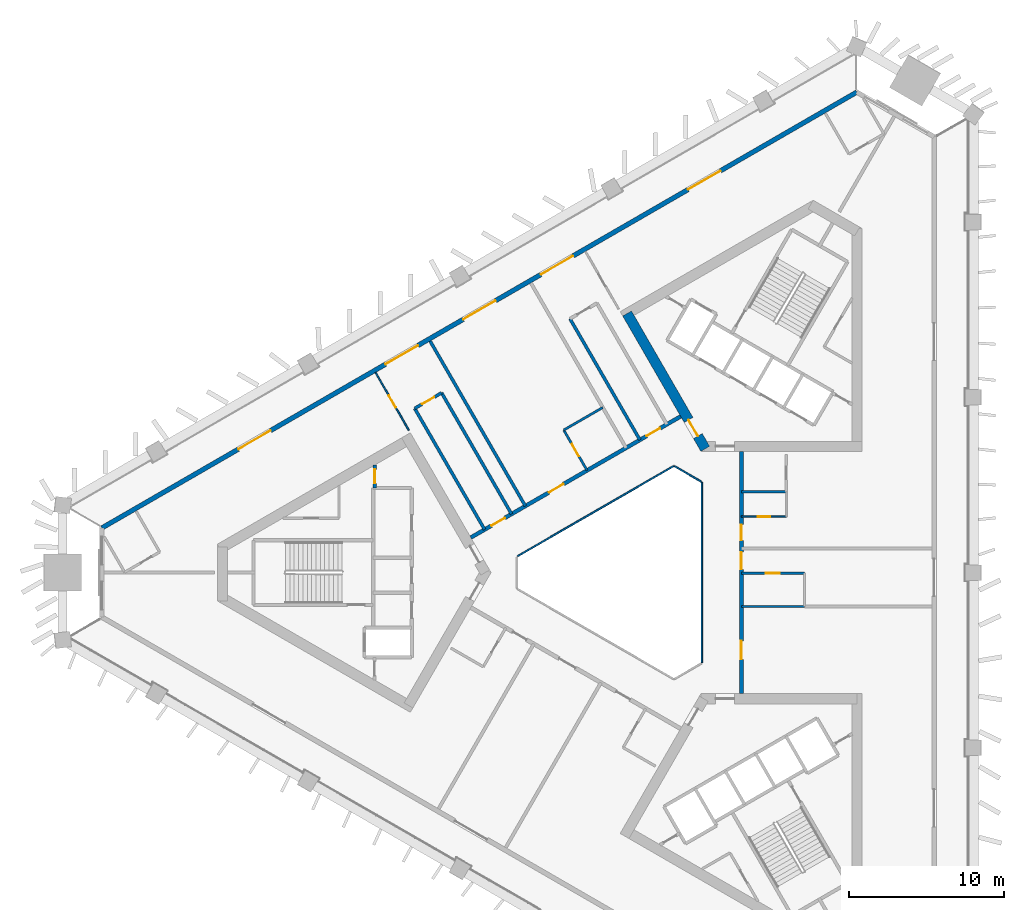
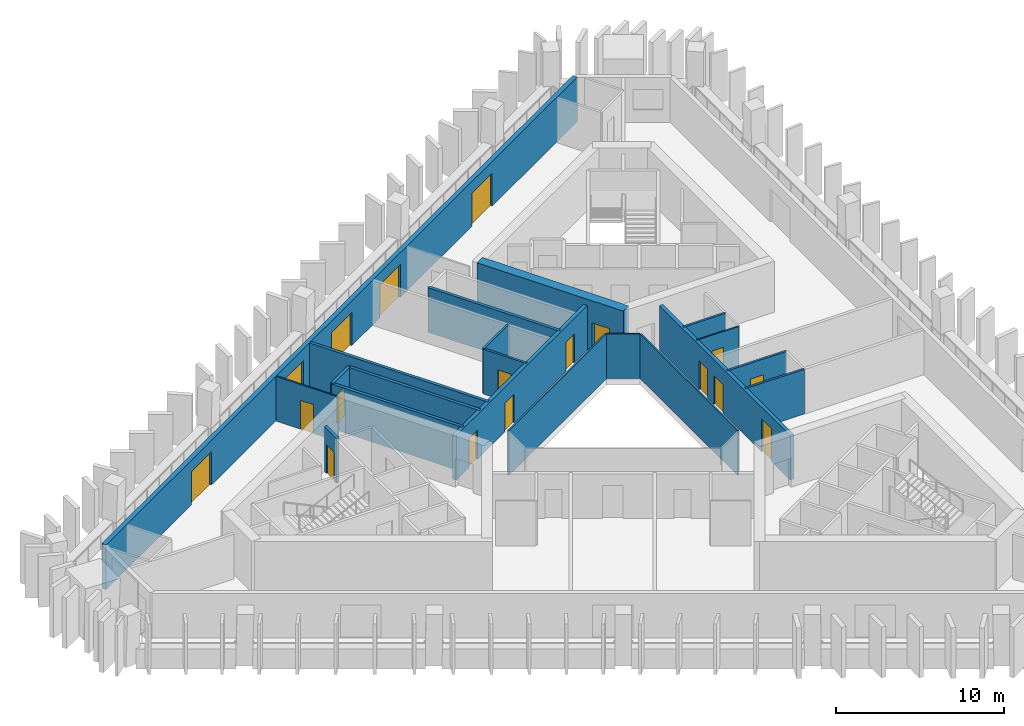
# One storey, part 4 of 9: 20 walls, 18 doors, 18 openings.
"""IFC4 building model written with IfcOpenShell, lengths in metres."""

from ifc_helpers import new_model, si_unit, direction, frame, frame_2d, origin, place, context, subcontext, project, spatial, rectangle, extrude, material, layer, layer_set, type_object, element, fill, save


model = new_model("IFC4")

# Units and contexts
model_context = context("Model", 3, precision=1e-05, world=origin(), true_north=direction((0.0, 1.0)))
body_context = subcontext(model_context, "Body", "Model", "MODEL_VIEW")
ifc_project = project(units=[si_unit("LENGTHUNIT", "METRE"), si_unit("AREAUNIT", "SQUARE_METRE"), si_unit("VOLUMEUNIT", "CUBIC_METRE"), si_unit("PLANEANGLEUNIT", "RADIAN"), si_unit("MASSUNIT", "GRAM", prefix="KILO")], contexts=[model_context])

# Site, building, storey
site_placement = place(None, origin())
site = spatial("IfcSite", under=ifc_project, at=site_placement, CompositionType="ELEMENT")
building_placement = place(site_placement, origin())
building = spatial("IfcBuilding", under=site, at=building_placement, Name="Jabali Bay Hotel Tower and Convention Centre", CompositionType="ELEMENT")
storey_placement = place(building_placement, frame((0.0, 0.0, 129.0)))
storey = spatial("IfcBuildingStorey", under=building, at=storey_placement, Name="L31", CompositionType="ELEMENT", Elevation=129.0)

# Walls
ifc_material_1 = material(Name="Fire-resistant glazing", Category="glass")
ifc_layer_1 = layer(ifc_material_1, 0.10009765625)
ifc_layer_set_1 = layer_set([ifc_layer_1], Name="Fire-resistant glazing")
wall_type_1 = type_object("IfcWallType", Name="Atrium glazed screen 100", PredefinedType="PARTITIONING", material=ifc_layer_set_1)
wall_1_placement = place(storey_placement, frame((79.56005859375, 74.205810546875, 0.0), z_axis=(0.0, 0.0, 1.0), x_axis=(0.0, 1.0, 0.0)))
element("IfcWall", 1, at=wall_1_placement, inside=storey, type_object=wall_type_1, Name="Atrium screen 1 L31", PredefinedType="PARTITIONING", context=body_context, shape_type="SweptSolid", body=[
    extrude(rectangle(XDim=11.58837890625, YDim=0.10009765625, at=frame_2d((5.794189453125, 0.0))), origin(), (0.0, 0.0, 1.0), 3.25),
])
wall_2_placement = place(storey_placement, frame((79.530029296875, 85.84619140625, 0.0), z_axis=(0.0, 0.0, 1.0), x_axis=(-0.866041268327, 0.499972520799, 0.0)))
element("IfcWall", 2, at=wall_2_placement, inside=storey, type_object=wall_type_1, Name="Atrium screen 2 L31", PredefinedType="PARTITIONING", context=body_context, shape_type="SweptSolid", body=[
    extrude(rectangle(XDim=2.0, YDim=0.10009765625, at=frame_2d((1.0, 0.0))), origin(), (0.0, 0.0, 1.0), 3.25),
])
wall_3_placement = place(storey_placement, frame((77.738037109375, 86.84619140625, 0.0), z_axis=(0.0, 0.0, 1.0), x_axis=(-0.866026658274, -0.499997827154, 0.0)))
element("IfcWall", 3, at=wall_3_placement, inside=storey, type_object=wall_type_1, Name="Atrium screen 3 L31", PredefinedType="PARTITIONING", context=body_context, shape_type="SweptSolid", body=[
    extrude(rectangle(XDim=11.58837890625, YDim=0.10009765625, at=frame_2d((5.794189453125, 0.0))), origin(), (0.0, 0.0, 1.0), 3.25),
])

# Wall, opening, door
ifc_material_2 = material(Name="Concrete C40", Category="concrete")
ifc_layer_2 = layer(ifc_material_2, 0.199951171875)
ifc_layer_set_2 = layer_set([ifc_layer_2], Name="Concrete C40")
wall_type_2 = type_object("IfcWallType", Name="Core partition wall 200", PredefinedType="PARTITIONING", material=ifc_layer_set_2)
wall_4_placement = place(storey_placement, frame((58.52001953125, 86.916748046875, 0.0), z_axis=(0.0, 0.0, 1.0), x_axis=(0.0, -1.0, 0.0)))
wall_4 = element("IfcWall", 4, at=wall_4_placement, inside=storey, type_object=wall_type_2, Name="Core wall 0.10 L31", PredefinedType="PARTITIONING", context=body_context, shape_type="SweptSolid", body=[
    extrude(rectangle(XDim=1.466796875, YDim=0.199951171875, at=frame_2d((0.7333984375, 0.0))), origin(), (0.0, 0.0, 1.0), 3.25),
])
opening_1_placement = place(wall_4_placement, frame((0.283447265625, 0.0, 0.0)))
opening_1 = element("IfcOpeningElement", 5, at=opening_1_placement, cuts=wall_4, Name="Opening D686", PredefinedType="OPENING", context=body_context, shape_type="SweptSolid", body=[
    extrude(rectangle(XDim=0.89990234375, YDim=2.10009765625, at=frame_2d((0.449951171875, 1.050048828125))), frame((0.0, 0.1103515625, 0.0), z_axis=(0.0, -1.0, 0.0), x_axis=(1.0, 0.0, 0.0)), (0.0, 0.0, 1.0), 0.220947265625),
])
ifc_material_3 = material(Name="Fire-rated steel door", Category="steel")
door_type_1 = type_object("IfcDoorType", Name="Vestibule fire door 900 x 2100", OperationType="NOTDEFINED", PredefinedType="NOTDEFINED", material=ifc_material_3)
door_1_placement = place(opening_1_placement, origin())
door_1 = element("IfcDoor", 6, at=door_1_placement, inside=storey, type_object=door_type_1, Name="Vestibule fire door D686", OperationType="SINGLE_SWING_LEFT", OverallHeight=2.10009765625, OverallWidth=0.89990234375, PredefinedType="NOTDEFINED", context=body_context, shape_type="SweptSolid", body=[
    extrude(rectangle(XDim=0.89990234375, YDim=2.10009765625, at=frame_2d((0.449951171875, 1.050048828125))), frame((0.0, 0.02490234375, 0.0), z_axis=(0.0, -1.0, 0.0), x_axis=(1.0, 0.0, 0.0)), (0.0, 0.0, 1.0), 0.050048828125),
])
fill(opening_1, door_1)

ifc_material_4 = material(Name="Concrete C60", Category="concrete")
ifc_layer_3 = layer(ifc_material_4, 0.64990234375)
ifc_layer_set_3 = layer_set([ifc_layer_3], Name="Concrete C60")
wall_type_3 = type_object("IfcWallType", Name="Core wall 650", PredefinedType="SHEAR", material=ifc_layer_set_3)
wall_5_placement = place(storey_placement, frame((74.75390625, 96.66455078125, 0.0), z_axis=(0.0, 0.0, 1.0), x_axis=(0.500011799426, -0.866018591275, 0.0)))
wall_5 = element("IfcWall", 7, at=wall_5_placement, inside=storey, type_object=wall_type_3, Name="Core wall 2.5 L31", PredefinedType="SHEAR", context=body_context, shape_type="SweptSolid", body=[
    extrude(rectangle(XDim=10.054931640625, YDim=0.64990234375, at=frame_2d((5.02734375, 0.0))), origin(), (0.0, 0.0, 1.0), 3.699951171875),
])
opening_2_placement = place(wall_5_placement, frame((7.905029296875, 0.0, 0.0)))
opening_2 = element("IfcOpeningElement", 8, at=opening_2_placement, cuts=wall_5, Name="Opening D690", PredefinedType="OPENING", context=body_context, shape_type="SweptSolid", body=[
    extrude(rectangle(XDim=1.199951171875, YDim=2.10009765625, at=frame_2d((0.60009765625, 1.050048828125))), frame((0.0, 0.33544921875, 0.0), z_axis=(0.0, -1.0, 0.0), x_axis=(1.0, 0.0, 0.0)), (0.0, 0.0, 1.0), 0.6708984375),
])
door_type_2 = type_object("IfcDoorType", Name="Corridor end fire door 1200 x 2100", OperationType="NOTDEFINED", PredefinedType="NOTDEFINED", material=ifc_material_3)
door_2_placement = place(opening_2_placement, origin())
door_2 = element("IfcDoor", 9, at=door_2_placement, inside=storey, type_object=door_type_2, Name="Corridor end fire door D690", OperationType="SINGLE_SWING_LEFT", OverallHeight=2.10009765625, OverallWidth=1.199951171875, PredefinedType="NOTDEFINED", context=body_context, shape_type="SweptSolid", body=[
    extrude(rectangle(XDim=1.199951171875, YDim=2.10009765625, at=frame_2d((0.60009765625, 1.050048828125))), frame((0.0, 0.02490234375, 0.0), z_axis=(0.0, -1.0, 0.0), x_axis=(1.0, 0.0, 0.0)), (0.0, 0.0, 1.0), 0.050048828125),
])
fill(opening_2, door_2)

# Wall, openings, doors
ifc_layer_4 = layer(ifc_material_4, 0.25)
ifc_layer_set_4 = layer_set([ifc_layer_4], Name="Concrete C60")
wall_type_4 = type_object("IfcWallType", Name="Corridor wall 250", PredefinedType="SHEAR", material=ifc_layer_set_4)
wall_6_placement = place(storey_placement, frame((82.10009765625, 72.205810546875, 0.0), z_axis=(0.0, 0.0, 1.0), x_axis=(0.0, 1.0, 0.0)))
wall_6 = element("IfcWall", 10, at=wall_6_placement, inside=storey, type_object=wall_type_4, Name="Corridor wall 1 L31", PredefinedType="SHEAR", context=body_context, shape_type="SweptSolid", body=[
    extrude(rectangle(XDim=15.58837890625, YDim=0.25, at=frame_2d((7.794189453125, 0.0))), origin(), (0.0, 0.0, 1.0), 3.25),
])
opening_3_placement = place(wall_6_placement, frame((2.205810546875, 0.0, 0.0)))
opening_3 = element("IfcOpeningElement", 11, at=opening_3_placement, cuts=wall_6, Name="Opening 3101", PredefinedType="OPENING", context=body_context, shape_type="SweptSolid", body=[
    extrude(rectangle(XDim=1.199951171875, YDim=2.39990234375, at=frame_2d((0.60009765625, 1.199951171875))), frame((0.0, 0.135498046875, 0.0), z_axis=(0.0, -1.0, 0.0), x_axis=(1.0, 0.0, 0.0)), (0.0, 0.0, 1.0), 0.27099609375),
])
opening_4_placement = place(wall_6_placement, frame((8.003173828125, 0.0, 0.0)))
opening_4 = element("IfcOpeningElement", 12, at=opening_4_placement, cuts=wall_6, Name="Opening 3103", PredefinedType="OPENING", context=body_context, shape_type="SweptSolid", body=[
    extrude(rectangle(XDim=1.10009765625, YDim=2.10009765625, at=frame_2d((0.550048828125, 1.050048828125))), frame((0.0, 0.135498046875, 0.0), z_axis=(0.0, -1.0, 0.0), x_axis=(1.0, 0.0, 0.0)), (0.0, 0.0, 1.0), 0.27099609375),
])
opening_5_placement = place(wall_6_placement, frame((9.870849609375, 0.0, 0.0)))
opening_5 = element("IfcOpeningElement", 13, at=opening_5_placement, cuts=wall_6, Name="Opening 3106", PredefinedType="OPENING", context=body_context, shape_type="SweptSolid", body=[
    extrude(rectangle(XDim=1.0, YDim=2.10009765625, at=frame_2d((0.5, 1.050048828125))), frame((0.0, 0.135498046875, 0.0), z_axis=(0.0, -1.0, 0.0), x_axis=(1.0, 0.0, 0.0)), (0.0, 0.0, 1.0), 0.27099609375),
])
ifc_material_5 = material(Name="Timber", Category="wood")
door_type_3 = type_object("IfcDoorType", Name="Accessible guest room door 1100 x 2100", OperationType="NOTDEFINED", PredefinedType="NOTDEFINED", material=ifc_material_5)
door_3_placement = place(opening_4_placement, origin())
door_3 = element("IfcDoor", 14, at=door_3_placement, inside=storey, type_object=door_type_3, Name="Door 3103", OperationType="SINGLE_SWING_RIGHT", OverallHeight=2.10009765625, OverallWidth=1.10009765625, PredefinedType="NOTDEFINED", context=body_context, shape_type="SweptSolid", body=[
    extrude(rectangle(XDim=1.10009765625, YDim=2.10009765625, at=frame_2d((0.550048828125, 1.050048828125))), frame((0.0, 0.02490234375, 0.0), z_axis=(0.0, -1.0, 0.0), x_axis=(1.0, 0.0, 0.0)), (0.0, 0.0, 1.0), 0.050048828125),
])
fill(opening_4, door_3)
door_type_4 = type_object("IfcDoorType", Name="Guest room door 1000 x 2100", OperationType="NOTDEFINED", PredefinedType="NOTDEFINED", material=ifc_material_5)
door_4_placement = place(opening_5_placement, origin())
door_4 = element("IfcDoor", 15, at=door_4_placement, inside=storey, type_object=door_type_4, Name="Door 3106", OperationType="SINGLE_SWING_RIGHT", OverallHeight=2.10009765625, OverallWidth=1.0, PredefinedType="NOTDEFINED", context=body_context, shape_type="SweptSolid", body=[
    extrude(rectangle(XDim=1.0, YDim=2.10009765625, at=frame_2d((0.5, 1.050048828125))), frame((0.0, 0.02490234375, 0.0), z_axis=(0.0, -1.0, 0.0), x_axis=(1.0, 0.0, 0.0)), (0.0, 0.0, 1.0), 0.050048828125),
])
fill(opening_5, door_4)
door_type_5 = type_object("IfcDoorType", Name="Public room door 1200 x 2400", OperationType="NOTDEFINED", PredefinedType="NOTDEFINED", material=ifc_material_5)
door_5_placement = place(opening_3_placement, origin())
door_5 = element("IfcDoor", 16, at=door_5_placement, inside=storey, type_object=door_type_5, Name="Door 3101", OperationType="SINGLE_SWING_LEFT", OverallHeight=2.39990234375, OverallWidth=1.199951171875, PredefinedType="NOTDEFINED", context=body_context, shape_type="SweptSolid", body=[
    extrude(rectangle(XDim=1.199951171875, YDim=2.39990234375, at=frame_2d((0.60009765625, 1.199951171875))), frame((0.0, 0.02490234375, 0.0), z_axis=(0.0, -1.0, 0.0), x_axis=(1.0, 0.0, 0.0)), (0.0, 0.0, 1.0), 0.050048828125),
])
fill(opening_3, door_5)

wall_7_placement = place(storey_placement, frame((78.199951171875, 90.0458984375, 0.0), z_axis=(0.0, 0.0, 1.0), x_axis=(-0.866026492143, -0.499998114903, 0.0)))
wall_7 = element("IfcWall", 17, at=wall_7_placement, inside=storey, type_object=wall_type_4, Name="Corridor wall 2 L31", PredefinedType="SHEAR", context=body_context, shape_type="SweptSolid", body=[
    extrude(rectangle(XDim=15.58837890625, YDim=0.25, at=frame_2d((7.794189453125, 0.0))), origin(), (0.0, 0.0, 1.0), 3.25),
])
opening_6_placement = place(wall_7_placement, frame((1.526611328125, 0.0, 0.0)))
opening_6 = element("IfcOpeningElement", 18, at=opening_6_placement, cuts=wall_7, Name="Opening 3107", PredefinedType="OPENING", context=body_context, shape_type="SweptSolid", body=[
    extrude(rectangle(XDim=1.0, YDim=2.10009765625, at=frame_2d((0.5, 1.050048828125))), frame((0.0, 0.135498046875, 0.0), z_axis=(0.0, -1.0, 0.0), x_axis=(1.0, 0.0, 0.0)), (0.0, 0.0, 1.0), 0.27099609375),
])
opening_7_placement = place(wall_7_placement, frame((8.694091796875, 0.0, 0.0)))
opening_7 = element("IfcOpeningElement", 19, at=opening_7_placement, cuts=wall_7, Name="Opening 3112", PredefinedType="OPENING", context=body_context, shape_type="SweptSolid", body=[
    extrude(rectangle(XDim=1.10009765625, YDim=2.10009765625, at=frame_2d((0.550048828125, 1.050048828125))), frame((0.0, 0.135498046875, 0.0), z_axis=(0.0, -1.0, 0.0), x_axis=(1.0, 0.0, 0.0)), (0.0, 0.0, 1.0), 0.27099609375),
])
opening_8_placement = place(wall_7_placement, frame((13.06201171875, 0.0, 0.0)))
opening_8 = element("IfcOpeningElement", 20, at=opening_8_placement, cuts=wall_7, Name="Opening 3113", PredefinedType="OPENING", context=body_context, shape_type="SweptSolid", body=[
    extrude(rectangle(XDim=1.0, YDim=2.10009765625, at=frame_2d((0.5, 1.050048828125))), frame((0.0, 0.135498046875, 0.0), z_axis=(0.0, -1.0, 0.0), x_axis=(1.0, 0.0, 0.0)), (0.0, 0.0, 1.0), 0.27099609375),
])
door_6_placement = place(opening_7_placement, origin())
door_6 = element("IfcDoor", 21, at=door_6_placement, inside=storey, type_object=door_type_3, Name="Door 3112", OperationType="SINGLE_SWING_RIGHT", OverallHeight=2.10009765625, OverallWidth=1.10009765625, PredefinedType="NOTDEFINED", context=body_context, shape_type="SweptSolid", body=[
    extrude(rectangle(XDim=1.10009765625, YDim=2.10009765625, at=frame_2d((0.550048828125, 1.050048828125))), frame((0.0, 0.02490234375, 0.0), z_axis=(0.0, -1.0, 0.0), x_axis=(1.0, 0.0, 0.0)), (0.0, 0.0, 1.0), 0.050048828125),
])
fill(opening_7, door_6)
door_7_placement = place(opening_6_placement, origin())
door_7 = element("IfcDoor", 22, at=door_7_placement, inside=storey, type_object=door_type_4, Name="Door 3107", OperationType="SINGLE_SWING_LEFT", OverallHeight=2.10009765625, OverallWidth=1.0, PredefinedType="NOTDEFINED", context=body_context, shape_type="SweptSolid", body=[
    extrude(rectangle(XDim=1.0, YDim=2.10009765625, at=frame_2d((0.5, 1.050048828125))), frame((0.0, 0.02490234375, 0.0), z_axis=(0.0, -1.0, 0.0), x_axis=(1.0, 0.0, 0.0)), (0.0, 0.0, 1.0), 0.050048828125),
])
fill(opening_6, door_7)
door_8_placement = place(opening_8_placement, origin())
door_8 = element("IfcDoor", 23, at=door_8_placement, inside=storey, type_object=door_type_4, Name="Door 3113", OperationType="SINGLE_SWING_RIGHT", OverallHeight=2.10009765625, OverallWidth=1.0, PredefinedType="NOTDEFINED", context=body_context, shape_type="SweptSolid", body=[
    extrude(rectangle(XDim=1.0, YDim=2.10009765625, at=frame_2d((0.5, 1.050048828125))), frame((0.0, 0.02490234375, 0.0), z_axis=(0.0, -1.0, 0.0), x_axis=(1.0, 0.0, 0.0)), (0.0, 0.0, 1.0), 0.050048828125),
])
fill(opening_8, door_8)

ifc_layer_5 = layer(ifc_material_2, 0.300048828125)
ifc_layer_set_5 = layer_set([ifc_layer_5], Name="Concrete C40")
wall_type_5 = type_object("IfcWallType", Name="External wall 300", PredefinedType="SOLIDWALL", material=ifc_layer_set_5)
wall_8_placement = place(storey_placement, frame((40.966552734375, 82.868896484375, 0.0), z_axis=(0.0, 0.0, 1.0), x_axis=(0.86602616217, 0.499998686435, 0.0)))
wall_8 = element("IfcWall", 24, at=wall_8_placement, inside=storey, type_object=wall_type_5, Name="External wall north-west face L31", PredefinedType="SOLIDWALL", context=body_context, shape_type="SweptSolid", body=[
    extrude(rectangle(XDim=56.078857421875, YDim=0.300048828125, at=frame_2d((28.03955078125, 0.0))), origin(), (0.0, 0.0, 1.0), 3.25),
])
opening_9_placement = place(wall_8_placement, frame((26.83935546875, 0.0, 0.0)))
opening_9 = element("IfcOpeningElement", 25, at=opening_9_placement, cuts=wall_8, Name="Opening SD1", PredefinedType="OPENING", context=body_context, shape_type="SweptSolid", body=[
    extrude(rectangle(XDim=2.39990234375, YDim=2.39990234375, at=frame_2d((1.199951171875, 1.199951171875))), frame((0.0, 0.16064453125, 0.0), z_axis=(0.0, -1.0, 0.0), x_axis=(1.0, 0.0, 0.0)), (0.0, 0.0, 1.0), 0.321044921875),
])
opening_10_placement = place(wall_8_placement, frame((32.607177734375, 0.0, 0.0)))
opening_10 = element("IfcOpeningElement", 26, at=opening_10_placement, cuts=wall_8, Name="Opening SD1", PredefinedType="OPENING", context=body_context, shape_type="SweptSolid", body=[
    extrude(rectangle(XDim=2.39990234375, YDim=2.39990234375, at=frame_2d((1.199951171875, 1.199951171875))), frame((0.0, 0.16064453125, 0.0), z_axis=(0.0, -1.0, 0.0), x_axis=(1.0, 0.0, 0.0)), (0.0, 0.0, 1.0), 0.321044921875),
])
opening_11_placement = place(wall_8_placement, frame((43.54736328125, 0.0, 0.0)))
opening_11 = element("IfcOpeningElement", 27, at=opening_11_placement, cuts=wall_8, Name="Opening SD1", PredefinedType="OPENING", context=body_context, shape_type="SweptSolid", body=[
    extrude(rectangle(XDim=2.39990234375, YDim=2.39990234375, at=frame_2d((1.199951171875, 1.199951171875))), frame((0.0, 0.16064453125, 0.0), z_axis=(0.0, -1.0, 0.0), x_axis=(1.0, 0.0, 0.0)), (0.0, 0.0, 1.0), 0.321044921875),
])
opening_12_placement = place(wall_8_placement, frame((21.071533203125, 0.0, 0.0)))
opening_12 = element("IfcOpeningElement", 28, at=opening_12_placement, cuts=wall_8, Name="Opening SD1", PredefinedType="OPENING", context=body_context, shape_type="SweptSolid", body=[
    extrude(rectangle(XDim=2.39990234375, YDim=2.39990234375, at=frame_2d((1.199951171875, 1.199951171875))), frame((0.0, 0.16064453125, 0.0), z_axis=(0.0, -1.0, 0.0), x_axis=(1.0, 0.0, 0.0)), (0.0, 0.0, 1.0), 0.321044921875),
])
opening_13_placement = place(wall_8_placement, frame((10.135986328125, 0.0, 0.0)))
opening_13 = element("IfcOpeningElement", 29, at=opening_13_placement, cuts=wall_8, Name="Opening SD1", PredefinedType="OPENING", context=body_context, shape_type="SweptSolid", body=[
    extrude(rectangle(XDim=2.39990234375, YDim=2.39990234375, at=frame_2d((1.199951171875, 1.199951171875))), frame((0.0, 0.16064453125, 0.0), z_axis=(0.0, -1.0, 0.0), x_axis=(1.0, 0.0, 0.0)), (0.0, 0.0, 1.0), 0.321044921875),
])
ifc_material_6 = material(Name="Glass", Category="glass")
door_type_6 = type_object("IfcDoorType", Name="Loggia sliding door 2400 x 2400", OperationType="NOTDEFINED", PredefinedType="NOTDEFINED", material=ifc_material_6)
door_9_placement = place(opening_9_placement, origin())
door_9 = element("IfcDoor", 30, at=door_9_placement, inside=storey, type_object=door_type_6, Name="Loggia sliding door 3106", OperationType="SLIDING_TO_LEFT", OverallHeight=2.39990234375, OverallWidth=2.39990234375, PredefinedType="NOTDEFINED", context=body_context, shape_type="SweptSolid", body=[
    extrude(rectangle(XDim=2.39990234375, YDim=2.39990234375, at=frame_2d((1.199951171875, 1.199951171875))), frame((0.0, 0.02490234375, 0.0), z_axis=(0.0, -1.0, 0.0), x_axis=(1.0, 0.0, 0.0)), (0.0, 0.0, 1.0), 0.050048828125),
])
fill(opening_9, door_9)
door_10_placement = place(opening_10_placement, origin())
door_10 = element("IfcDoor", 31, at=door_10_placement, inside=storey, type_object=door_type_6, Name="Loggia sliding door 3104", OperationType="SLIDING_TO_RIGHT", OverallHeight=2.39990234375, OverallWidth=2.39990234375, PredefinedType="NOTDEFINED", context=body_context, shape_type="SweptSolid", body=[
    extrude(rectangle(XDim=2.39990234375, YDim=2.39990234375, at=frame_2d((1.199951171875, 1.199951171875))), frame((0.0, 0.02490234375, 0.0), z_axis=(0.0, -1.0, 0.0), x_axis=(1.0, 0.0, 0.0)), (0.0, 0.0, 1.0), 0.050048828125),
])
fill(opening_10, door_10)
door_11_placement = place(opening_11_placement, origin())
door_11 = element("IfcDoor", 32, at=door_11_placement, inside=storey, type_object=door_type_6, Name="Loggia sliding door 3104", OperationType="SLIDING_TO_LEFT", OverallHeight=2.39990234375, OverallWidth=2.39990234375, PredefinedType="NOTDEFINED", context=body_context, shape_type="SweptSolid", body=[
    extrude(rectangle(XDim=2.39990234375, YDim=2.39990234375, at=frame_2d((1.199951171875, 1.199951171875))), frame((0.0, 0.02490234375, 0.0), z_axis=(0.0, -1.0, 0.0), x_axis=(1.0, 0.0, 0.0)), (0.0, 0.0, 1.0), 0.050048828125),
])
fill(opening_11, door_11)
door_12_placement = place(opening_12_placement, origin())
door_12 = element("IfcDoor", 33, at=door_12_placement, inside=storey, type_object=door_type_6, Name="Loggia sliding door 3107", OperationType="SLIDING_TO_RIGHT", OverallHeight=2.39990234375, OverallWidth=2.39990234375, PredefinedType="NOTDEFINED", context=body_context, shape_type="SweptSolid", body=[
    extrude(rectangle(XDim=2.39990234375, YDim=2.39990234375, at=frame_2d((1.199951171875, 1.199951171875))), frame((0.0, 0.02490234375, 0.0), z_axis=(0.0, -1.0, 0.0), x_axis=(1.0, 0.0, 0.0)), (0.0, 0.0, 1.0), 0.050048828125),
])
fill(opening_12, door_12)
door_13_placement = place(opening_13_placement, origin())
door_13 = element("IfcDoor", 34, at=door_13_placement, inside=storey, type_object=door_type_6, Name="Loggia sliding door 3107", OperationType="SLIDING_TO_LEFT", OverallHeight=2.39990234375, OverallWidth=2.39990234375, PredefinedType="NOTDEFINED", context=body_context, shape_type="SweptSolid", body=[
    extrude(rectangle(XDim=2.39990234375, YDim=2.39990234375, at=frame_2d((1.199951171875, 1.199951171875))), frame((0.0, 0.02490234375, 0.0), z_axis=(0.0, -1.0, 0.0), x_axis=(1.0, 0.0, 0.0)), (0.0, 0.0, 1.0), 0.050048828125),
])
fill(opening_13, door_13)

# Wall, opening, door
ifc_material_7 = material(Name="Plasterboard on steel stud", Category="steel")
ifc_layer_6 = layer(ifc_material_7, 0.10009765625)
ifc_layer_set_6 = layer_set([ifc_layer_6], Name="Plasterboard on steel stud")
wall_type_6 = type_object("IfcWallType", Name="Partition 100 unit", PredefinedType="PARTITIONING", material=ifc_layer_set_6)
wall_9_placement = place(storey_placement, frame((85.0, 83.59423828125, 0.0), z_axis=(0.0, 0.0, 1.0), x_axis=(-1.0, 0.0, 0.0)))
wall_9 = element("IfcWall", 35, at=wall_9_placement, inside=storey, type_object=wall_type_6, Name="Partition P02 L31 009", PredefinedType="PARTITIONING", context=body_context, shape_type="SweptSolid", body=[
    extrude(rectangle(XDim=2.89990234375, YDim=0.10009765625, at=frame_2d((1.449951171875, 0.0))), origin(), (0.0, 0.0, 1.0), 3.25),
])
opening_14_placement = place(wall_9_placement, frame((1.050048828125, 0.0, 0.0)))
opening_14 = element("IfcOpeningElement", 36, at=opening_14_placement, cuts=wall_9, Name="Opening 3105", PredefinedType="OPENING", context=body_context, shape_type="SweptSolid", body=[
    extrude(rectangle(XDim=0.800048828125, YDim=2.10009765625, at=frame_2d((0.39990234375, 1.050048828125))), frame((0.0, 0.060546875, 0.0), z_axis=(0.0, -1.0, 0.0), x_axis=(1.0, 0.0, 0.0)), (0.0, 0.0, 1.0), 0.12109375),
])
door_type_7 = type_object("IfcDoorType", Name="Dressing room door 800 x 2100", OperationType="NOTDEFINED", PredefinedType="NOTDEFINED", material=ifc_material_5)
door_14_placement = place(opening_14_placement, origin())
door_14 = element("IfcDoor", 37, at=door_14_placement, inside=storey, type_object=door_type_7, Name="Door 3105", OperationType="SINGLE_SWING_LEFT", OverallHeight=2.10009765625, OverallWidth=0.800048828125, PredefinedType="NOTDEFINED", context=body_context, shape_type="SweptSolid", body=[
    extrude(rectangle(XDim=0.800048828125, YDim=2.10009765625, at=frame_2d((0.39990234375, 1.050048828125))), frame((0.0, 0.02490234375, 0.0), z_axis=(0.0, -1.0, 0.0), x_axis=(1.0, 0.0, 0.0)), (0.0, 0.0, 1.0), 0.050048828125),
])
fill(opening_14, door_14)

wall_10_placement = place(storey_placement, frame((58.573974609375, 92.862548828125, 0.0), z_axis=(0.0, 0.0, 1.0), x_axis=(0.49995489152, -0.866051445611, 0.0)))
wall_10 = element("IfcWall", 38, at=wall_10_placement, inside=storey, type_object=wall_type_6, Name="Partition P02 L31 023", PredefinedType="PARTITIONING", context=body_context, shape_type="SweptSolid", body=[
    extrude(rectangle(XDim=4.2734375, YDim=0.10009765625, at=frame_2d((2.13671875, 0.0))), origin(), (0.0, 0.0, 1.0), 3.25),
])
opening_15_placement = place(wall_10_placement, frame((1.68701171875, 0.0, 0.0)))
opening_15 = element("IfcOpeningElement", 39, at=opening_15_placement, cuts=wall_10, Name="Opening 3114", PredefinedType="OPENING", context=body_context, shape_type="SweptSolid", body=[
    extrude(rectangle(XDim=0.89990234375, YDim=2.10009765625, at=frame_2d((0.449951171875, 1.050048828125))), frame((0.0, 0.060546875, 0.0), z_axis=(0.0, -1.0, 0.0), x_axis=(1.0, 0.0, 0.0)), (0.0, 0.0, 1.0), 0.12109375),
])
door_type_8 = type_object("IfcDoorType", Name="Internal door 900 x 2100", OperationType="NOTDEFINED", PredefinedType="NOTDEFINED", material=ifc_material_5)
door_15_placement = place(opening_15_placement, origin())
door_15 = element("IfcDoor", 40, at=door_15_placement, inside=storey, type_object=door_type_8, Name="Door 3114", OperationType="SINGLE_SWING_RIGHT", OverallHeight=2.10009765625, OverallWidth=0.89990234375, PredefinedType="NOTDEFINED", context=body_context, shape_type="SweptSolid", body=[
    extrude(rectangle(XDim=0.89990234375, YDim=2.10009765625, at=frame_2d((0.449951171875, 1.050048828125))), frame((0.0, 0.02490234375, 0.0), z_axis=(0.0, -1.0, 0.0), x_axis=(1.0, 0.0, 0.0)), (0.0, 0.0, 1.0), 0.050048828125),
])
fill(opening_15, door_15)

# Wall
ifc_layer_7 = layer(ifc_material_7, 0.14990234375)
ifc_layer_set_7 = layer_set([ifc_layer_7], Name="Plasterboard on steel stud")
wall_type_7 = type_object("IfcWallType", Name="Partition 150 wet", PredefinedType="PARTITIONING", material=ifc_layer_set_7)
wall_11_placement = place(storey_placement, frame((86.1630859375, 77.817626953125, 0.0), z_axis=(0.0, 0.0, 1.0), x_axis=(-1.0, 0.0, 0.0)))
element("IfcWall", 41, at=wall_11_placement, inside=storey, type_object=wall_type_7, Name="Partition P03 L31 002", PredefinedType="PARTITIONING", context=body_context, shape_type="SweptSolid", body=[
    extrude(rectangle(XDim=4.06298828125, YDim=0.14990234375, at=frame_2d((2.031494140625, 0.0))), origin(), (0.0, 0.0, 1.0), 3.25),
])

# Wall, opening, door
wall_12_placement = place(storey_placement, frame((82.10009765625, 79.958740234375, 0.0), z_axis=(0.0, 0.0, 1.0), x_axis=(1.0, 0.0, 0.0)))
wall_12 = element("IfcWall", 42, at=wall_12_placement, inside=storey, type_object=wall_type_7, Name="Partition P03 L31 004", PredefinedType="PARTITIONING", context=body_context, shape_type="SweptSolid", body=[
    extrude(rectangle(XDim=4.06298828125, YDim=0.14990234375, at=frame_2d((2.031494140625, 0.0))), origin(), (0.0, 0.0, 1.0), 3.25),
])
opening_16_placement = place(wall_12_placement, frame((1.58203125, 0.0, 0.0)))
opening_16 = element("IfcOpeningElement", 43, at=opening_16_placement, cuts=wall_12, Name="Opening 3102", PredefinedType="OPENING", context=body_context, shape_type="SweptSolid", body=[
    extrude(rectangle(XDim=0.89990234375, YDim=2.10009765625, at=frame_2d((0.449951171875, 1.050048828125))), frame((0.0, 0.08544921875, 0.0), z_axis=(0.0, -1.0, 0.0), x_axis=(1.0, 0.0, 0.0)), (0.0, 0.0, 1.0), 0.1708984375),
])
door_type_9 = type_object("IfcDoorType", Name="Accessible en-suite door 900 x 2100", OperationType="NOTDEFINED", PredefinedType="NOTDEFINED", material=ifc_material_5)
door_16_placement = place(opening_16_placement, origin())
door_16 = element("IfcDoor", 44, at=door_16_placement, inside=storey, type_object=door_type_9, Name="Door 3102", OperationType="SINGLE_SWING_RIGHT", OverallHeight=2.10009765625, OverallWidth=0.89990234375, PredefinedType="NOTDEFINED", context=body_context, shape_type="SweptSolid", body=[
    extrude(rectangle(XDim=0.89990234375, YDim=2.10009765625, at=frame_2d((0.449951171875, 1.050048828125))), frame((0.0, 0.02490234375, 0.0), z_axis=(0.0, -1.0, 0.0), x_axis=(1.0, 0.0, 0.0)), (0.0, 0.0, 1.0), 0.050048828125),
])
fill(opening_16, door_16)

# Wall
wall_13_placement = place(storey_placement, frame((82.10009765625, 85.1943359375, 0.0), z_axis=(0.0, 0.0, 1.0), x_axis=(1.0, 0.0, 0.0)))
element("IfcWall", 45, at=wall_13_placement, inside=storey, type_object=wall_type_7, Name="Partition P03 L31 011", PredefinedType="PARTITIONING", context=body_context, shape_type="SweptSolid", body=[
    extrude(rectangle(XDim=2.89990234375, YDim=0.14990234375, at=frame_2d((1.449951171875, 0.0))), origin(), (0.0, 0.0, 1.0), 3.25),
])

# Wall, opening, door
wall_14_placement = place(storey_placement, frame((72.178466796875, 86.5693359375, 0.0), z_axis=(0.0, 0.0, 1.0), x_axis=(-0.499990139034, 0.866031096941, 0.0)))
wall_14 = element("IfcWall", 46, at=wall_14_placement, inside=storey, type_object=wall_type_7, Name="Partition P03 L31 020", PredefinedType="PARTITIONING", context=body_context, shape_type="SweptSolid", body=[
    extrude(rectangle(XDim=3.0, YDim=0.14990234375, at=frame_2d((1.5, 0.0))), origin(), (0.0, 0.0, 1.0), 3.25),
])
opening_17_placement = place(wall_14_placement, frame((1.050048828125, 0.0, 0.0)))
opening_17 = element("IfcOpeningElement", 47, at=opening_17_placement, cuts=wall_14, Name="Opening 3111", PredefinedType="OPENING", context=body_context, shape_type="SweptSolid", body=[
    extrude(rectangle(XDim=0.89990234375, YDim=2.10009765625, at=frame_2d((0.449951171875, 1.050048828125))), frame((0.0, 0.08544921875, 0.0), z_axis=(0.0, -1.0, 0.0), x_axis=(1.0, 0.0, 0.0)), (0.0, 0.0, 1.0), 0.1708984375),
])
door_17_placement = place(opening_17_placement, origin())
door_17 = element("IfcDoor", 48, at=door_17_placement, inside=storey, type_object=door_type_9, Name="Door 3111", OperationType="SINGLE_SWING_LEFT", OverallHeight=2.10009765625, OverallWidth=0.89990234375, PredefinedType="NOTDEFINED", context=body_context, shape_type="SweptSolid", body=[
    extrude(rectangle(XDim=0.89990234375, YDim=2.10009765625, at=frame_2d((0.449951171875, 1.050048828125))), frame((0.0, 0.02490234375, 0.0), z_axis=(0.0, -1.0, 0.0), x_axis=(1.0, 0.0, 0.0)), (0.0, 0.0, 1.0), 0.050048828125),
])
fill(opening_17, door_17)

# Walls
wall_15_placement = place(storey_placement, frame((70.678466796875, 89.16748046875, 0.0), z_axis=(0.0, 0.0, 1.0), x_axis=(0.866032775405, 0.499987231761, 0.0)))
element("IfcWall", 49, at=wall_15_placement, inside=storey, type_object=wall_type_7, Name="Partition P03 L31 021", PredefinedType="PARTITIONING", context=body_context, shape_type="SweptSolid", body=[
    extrude(rectangle(XDim=2.89990234375, YDim=0.14990234375, at=frame_2d((1.449951171875, 0.0))), origin(), (0.0, 0.0, 1.0), 3.25),
])
ifc_layer_8 = layer(ifc_material_7, 0.199951171875)
ifc_layer_set_8 = layer_set([ifc_layer_8], Name="Plasterboard on steel stud")
wall_type_8 = type_object("IfcWallType", Name="Partition 200 party", PredefinedType="PARTITIONING", material=ifc_layer_set_8)
wall_16_placement = place(storey_placement, frame((75.578857421875, 88.53271484375, 0.0), z_axis=(0.0, 0.0, 1.0), x_axis=(-0.5000018851, 0.866024315419, 0.0)))
element("IfcWall", 50, at=wall_16_placement, inside=storey, type_object=wall_type_8, Name="Partition P01 L31 013", PredefinedType="PARTITIONING", context=body_context, shape_type="SweptSolid", body=[
    extrude(rectangle(XDim=9.0, YDim=0.199951171875, at=frame_2d((4.5, 0.0))), origin(), (0.0, 0.0, 1.0), 3.25),
])
wall_17_placement = place(storey_placement, frame((62.083740234375, 94.888916015625, 0.0), z_axis=(0.0, 0.0, 1.0), x_axis=(0.500003027759, -0.8660236557, 0.0)))
element("IfcWall", 51, at=wall_17_placement, inside=storey, type_object=wall_type_8, Name="Partition P01 L31 022", PredefinedType="PARTITIONING", context=body_context, shape_type="SweptSolid", body=[
    extrude(rectangle(XDim=12.25244140625, YDim=0.199951171875, at=frame_2d((6.126220703125, 0.0))), origin(), (0.0, 0.0, 1.0), 3.25),
])
wall_18_placement = place(storey_placement, frame((65.5888671875, 82.764892578125, 0.0), z_axis=(0.0, 0.0, 1.0), x_axis=(-0.5000018851, 0.866024315419, 0.0)))
element("IfcWall", 52, at=wall_18_placement, inside=storey, type_object=wall_type_8, Name="Partition P01 L31 024", PredefinedType="PARTITIONING", context=body_context, shape_type="SweptSolid", body=[
    extrude(rectangle(XDim=9.0, YDim=0.199951171875, at=frame_2d((4.5, 0.0))), origin(), (0.0, 0.0, 1.0), 3.25),
])

# Wall, opening, door
wall_19_placement = place(storey_placement, frame((61.0888671875, 90.55908203125, 0.0), z_axis=(0.0, 0.0, 1.0), x_axis=(0.866041268327, 0.499972520799, 0.0)))
wall_19 = element("IfcWall", 53, at=wall_19_placement, inside=storey, type_object=wall_type_8, Name="Partition P01 L31 025", PredefinedType="PARTITIONING", context=body_context, shape_type="SweptSolid", body=[
    extrude(rectangle(XDim=2.0, YDim=0.199951171875, at=frame_2d((1.0, 0.0))), origin(), (0.0, 0.0, 1.0), 3.25),
])
opening_18_placement = place(wall_19_placement, frame((0.550048828125, 0.0, 0.0)))
opening_18 = element("IfcOpeningElement", 54, at=opening_18_placement, cuts=wall_19, Name="Opening 3116", PredefinedType="OPENING", context=body_context, shape_type="SweptSolid", body=[
    extrude(rectangle(XDim=0.89990234375, YDim=2.10009765625, at=frame_2d((0.449951171875, 1.050048828125))), frame((0.0, 0.1103515625, 0.0), z_axis=(0.0, -1.0, 0.0), x_axis=(1.0, 0.0, 0.0)), (0.0, 0.0, 1.0), 0.220947265625),
])
door_18_placement = place(opening_18_placement, origin())
door_18 = element("IfcDoor", 55, at=door_18_placement, inside=storey, type_object=door_type_8, Name="Door 3116", OperationType="SINGLE_SWING_RIGHT", OverallHeight=2.10009765625, OverallWidth=0.89990234375, PredefinedType="NOTDEFINED", context=body_context, shape_type="SweptSolid", body=[
    extrude(rectangle(XDim=0.89990234375, YDim=2.10009765625, at=frame_2d((0.449951171875, 1.050048828125))), frame((0.0, 0.02490234375, 0.0), z_axis=(0.0, -1.0, 0.0), x_axis=(1.0, 0.0, 0.0)), (0.0, 0.0, 1.0), 0.050048828125),
])
fill(opening_18, door_18)

# Wall
wall_20_placement = place(storey_placement, frame((62.821044921875, 91.55908203125, 0.0), z_axis=(0.0, 0.0, 1.0), x_axis=(0.5000018851, -0.866024315419, 0.0)))
element("IfcWall", 56, at=wall_20_placement, inside=storey, type_object=wall_type_8, Name="Partition P01 L31 026", PredefinedType="PARTITIONING", context=body_context, shape_type="SweptSolid", body=[
    extrude(rectangle(XDim=9.0, YDim=0.199951171875, at=frame_2d((4.5, 0.0))), origin(), (0.0, 0.0, 1.0), 3.25),
])

save(model, "model.ifc")
